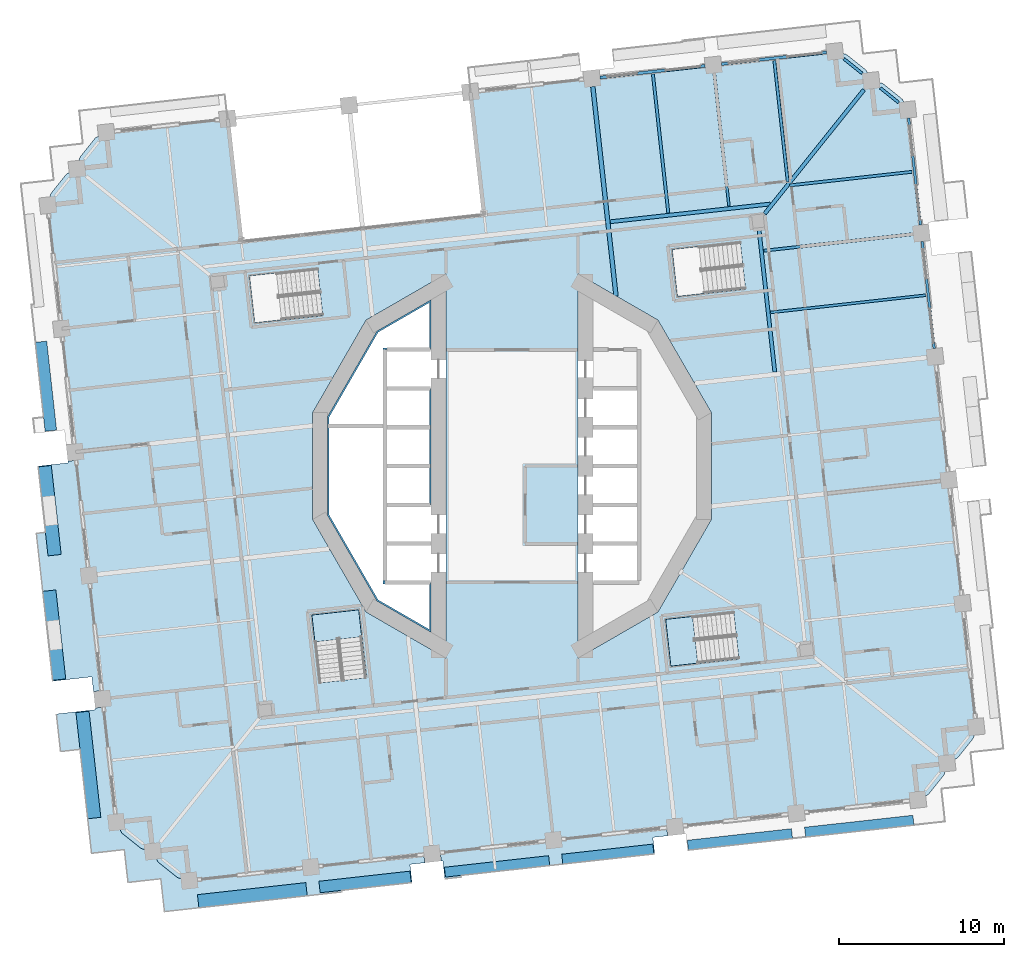
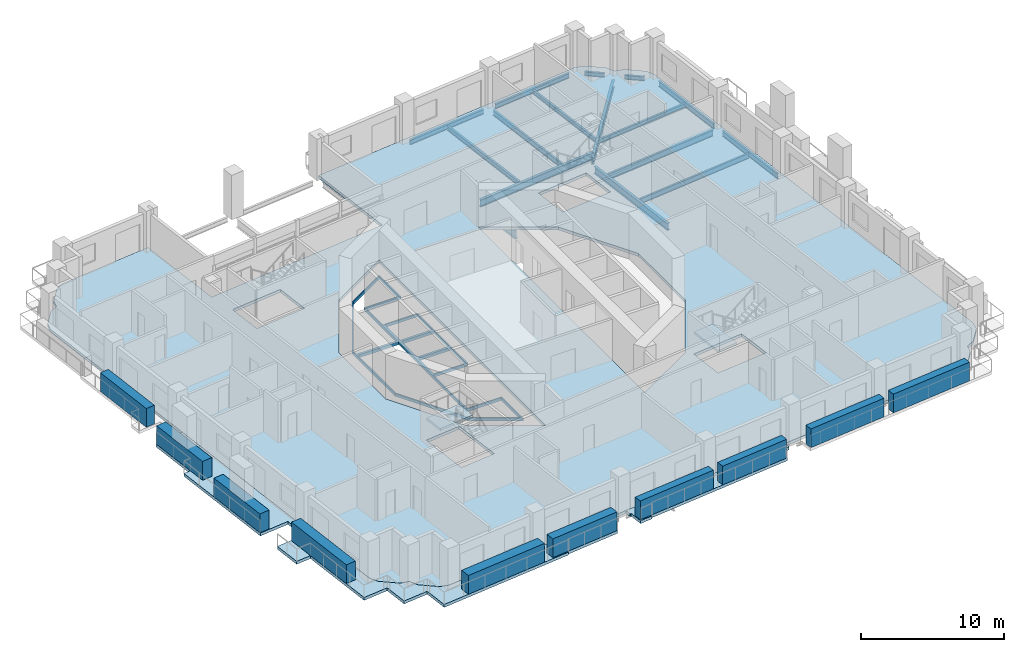
# One storey, part 5 of 21: 16 beams, 10 plates, 7 slabs, 2 elements without a shape of their own.
"""IFC4 building model written with IfcOpenShell, lengths in metres."""

from ifc_helpers import new_model, si_unit, direction, frame, origin, origin_2d, place, context, subcontext, project, spatial, polyline, rectangle, i_section, outline, extrude, material, layer, layer_set, material_profile, profile_set, type_object, element, aggregate, save


model = new_model("IFC4")

# Units and contexts
model_context = context("Model", 3, precision=1e-05, world=origin(), true_north=direction((0.0, 1.0)))
body_context = subcontext(model_context, "Body", "Model", "MODEL_VIEW")
ifc_project = project(units=[si_unit("LENGTHUNIT", "METRE"), si_unit("AREAUNIT", "SQUARE_METRE"), si_unit("VOLUMEUNIT", "CUBIC_METRE"), si_unit("PLANEANGLEUNIT", "RADIAN"), si_unit("MASSUNIT", "GRAM", prefix="KILO")], contexts=[model_context])

# Site, building, storey
site_placement = place(None, origin())
site = spatial("IfcSite", under=ifc_project, at=site_placement, CompositionType="ELEMENT")
building_placement = place(site_placement, origin())
building = spatial("IfcBuilding", under=site, at=building_placement, Name="Cantera Rosa Tower", CompositionType="ELEMENT")
storey_placement = place(building_placement, frame((0.0, 0.0, 61.5)))
storey = spatial("IfcBuildingStorey", under=building, at=storey_placement, Name="L12", CompositionType="ELEMENT", Elevation=61.5)

# Beams
ifc_material_1 = material(Name="Steel ASTM A992 (Fy 345 MPa)", Category="steel")
ifc_material_profile_1 = material_profile(ifc_material_1, i_section(OverallWidth=0.154052734375, OverallDepth=0.4599609375, WebThickness=0.009033203125, FlangeThickness=0.015380859375, FilletRadius=0.01025390625, at=origin_2d()), Name="W460X68")
ifc_profile_set_1 = profile_set([ifc_material_profile_1], Name="Steel ASTM A992 (Fy 345 MPa)")
beam_type_1 = type_object("IfcBeamType", Name="STEEL BEAM W460X68", PredefinedType="BEAM", material=ifc_profile_set_1)
beam_1_placement = place(storey_placement, frame((12.249755859375, 23.796630859375, -0.47998046875), z_axis=(0.110312435488, -0.993896959738, 0.0), x_axis=(0.993896959738, 0.110312435488, 0.0)))
element("IfcBeam", 1, at=beam_1_placement, inside=storey, type_object=beam_type_1, Name="G-Z1-05 L12", PredefinedType="BEAM", context=body_context, shape_type="SweptSolid", body=[
    extrude(i_section(OverallWidth=0.154052734375, OverallDepth=0.4599609375, WebThickness=0.009033203125, FlangeThickness=0.015380859375, FilletRadius=0.01025390625, at=origin_2d()), origin(), (0.0, 0.0, 1.0), 8.10009765625),
])
ifc_material_2 = material(Name="Steel ASTM A992 (Fy 345 MPa)", Category="steel")
ifc_material_profile_2 = material_profile(ifc_material_2, i_section(OverallWidth=0.166015625, OverallDepth=0.528076171875, WebThickness=0.009765625, FlangeThickness=0.013671875, FilletRadius=0.0126953125, at=origin_2d()), Name="W530X74")
ifc_profile_set_2 = profile_set([ifc_material_profile_2], Name="Steel ASTM A992 (Fy 345 MPa)")
beam_type_2 = type_object("IfcBeamType", Name="STEEL BEAM W530X74", PredefinedType="BEAM", material=ifc_profile_set_2)
beam_2_placement = place(storey_placement, frame((24.298828125, 14.046142578125, -0.513916015625), z_axis=(-0.993896161189, -0.110319630049, 0.0), x_axis=(0.110319630049, -0.993896161189, 0.0)))
element("IfcBeam", 2, at=beam_2_placement, inside=storey, type_object=beam_type_2, Name="G-Z1-04 L12", PredefinedType="BEAM", context=body_context, shape_type="SweptSolid", body=[
    extrude(i_section(OverallWidth=0.166015625, OverallDepth=0.528076171875, WebThickness=0.009765625, FlangeThickness=0.013671875, FilletRadius=0.0126953125, at=origin_2d()), origin(), (0.0, 0.0, 1.0), 9.10009765625),
])
ifc_material_3 = material(Name="Steel ASTM A992 (Fy 345 MPa)", Category="steel")
ifc_material_profile_3 = material_profile(ifc_material_3, i_section(OverallWidth=0.22802734375, OverallDepth=0.60205078125, WebThickness=0.010498046875, FlangeThickness=0.014892578125, FilletRadius=0.0126953125, at=origin_2d()), Name="W610X101")
ifc_profile_set_3 = profile_set([ifc_material_profile_3], Name="Steel ASTM A992 (Fy 345 MPa)")
beam_type_3 = type_object("IfcBeamType", Name="STEEL BEAM W610X101", PredefinedType="BEAM", material=ifc_profile_set_3)
beam_3_placement = place(storey_placement, frame((21.31591796875, 22.79052734375, -0.551025390625), z_axis=(-0.624787924463, -0.780794498857, 0.0), x_axis=(0.780794498857, -0.624787924463, 0.0)))
element("IfcBeam", 3, at=beam_3_placement, inside=storey, type_object=beam_type_3, Name="CB-Z1-01 L12", PredefinedType="BEAM", context=body_context, shape_type="SweptSolid", body=[
    extrude(i_section(OverallWidth=0.22802734375, OverallDepth=0.60205078125, WebThickness=0.010498046875, FlangeThickness=0.014892578125, FilletRadius=0.0126953125, at=origin_2d()), origin(), (0.0, 0.0, 1.0), 9.616455078125),
])
beam_4_placement = place(storey_placement, frame((15.918212890625, 5.70068359375, -0.551025390625), z_axis=(-0.110298932846, 0.993898458301, 0.0), x_axis=(-0.993898458301, -0.110298932846, 0.0)))
element("IfcBeam", 4, at=beam_4_placement, inside=storey, type_object=beam_type_3, Name="RB-Z1-09 L12", PredefinedType="BEAM", context=body_context, shape_type="SweptSolid", body=[
    extrude(i_section(OverallWidth=0.22802734375, OverallDepth=0.60205078125, WebThickness=0.010498046875, FlangeThickness=0.014892578125, FilletRadius=0.0126953125, at=origin_2d()), origin(), (0.0, 0.0, 1.0), 8.68994140625),
])
ifc_material_4 = material(Name="Steel ASTM A992 (Fy 345 MPa)", Category="steel")
ifc_material_profile_4 = material_profile(ifc_material_4, i_section(OverallWidth=0.22900390625, OverallDepth=0.612060546875, WebThickness=0.011962890625, FlangeThickness=0.01953125, FilletRadius=0.0126953125, at=origin_2d()), Name="W610X125")
ifc_profile_set_4 = profile_set([ifc_material_profile_4], Name="Steel ASTM A992 (Fy 345 MPa)")
beam_type_4 = type_object("IfcBeamType", Name="STEEL BEAM W610X125", PredefinedType="BEAM", material=ifc_profile_set_4)
beam_5_placement = place(storey_placement, frame((5.9541015625, 14.797119140625, -0.555908203125), z_axis=(0.993898078625, 0.110302354035, 0.0), x_axis=(-0.110302354035, 0.993898078625, 0.0)))
element("IfcBeam", 5, at=beam_5_placement, inside=storey, type_object=beam_type_4, Name="RB-Z1-03 L12", PredefinedType="BEAM", context=body_context, shape_type="SweptSolid", body=[
    extrude(i_section(OverallWidth=0.22900390625, OverallDepth=0.612060546875, WebThickness=0.011962890625, FlangeThickness=0.01953125, FilletRadius=0.0126953125, at=origin_2d()), origin(), (0.0, 0.0, 1.0), 9.75),
])
ifc_material_5 = material(Name="Steel ASTM A992 (Fy 345 MPa)", Category="steel")
ifc_material_profile_5 = material_profile(ifc_material_5, i_section(OverallWidth=0.26708984375, OverallDepth=0.75390625, WebThickness=0.01318359375, FlangeThickness=0.01708984375, FilletRadius=0.0166015625, at=origin_2d()), Name="W760X147")
ifc_profile_set_5 = profile_set([ifc_material_profile_5], Name="Steel ASTM A992 (Fy 345 MPa)")
beam_type_5 = type_object("IfcBeamType", Name="STEEL BEAM W760X147", PredefinedType="BEAM", material=ifc_profile_set_5)
beam_6_placement = place(storey_placement, frame((4.894775390625, 22.980224609375, -0.626953125), z_axis=(0.11031177493, -0.993897033053, 0.0), x_axis=(0.993897033053, 0.11031177493, 0.0)))
element("IfcBeam", 6, at=beam_6_placement, inside=storey, type_object=beam_type_5, Name="G-Z1-06 L12", PredefinedType="BEAM", context=body_context, shape_type="SweptSolid", body=[
    extrude(i_section(OverallWidth=0.26708984375, OverallDepth=0.75390625, WebThickness=0.01318359375, FlangeThickness=0.01708984375, FilletRadius=0.0166015625, at=origin_2d()), origin(), (0.0, 0.0, 1.0), 12.754638671875),
])
ifc_material_6 = material(Name="Steel ASTM A992 (Fy 345 MPa)", Category="steel")
ifc_material_profile_6 = material_profile(ifc_material_6, i_section(OverallWidth=0.1708984375, OverallDepth=0.35595703125, WebThickness=0.00732421875, FlangeThickness=0.01171875, FilletRadius=0.010009765625, at=origin_2d()), Name="W360X51")
ifc_profile_set_6 = profile_set([ifc_material_profile_6], Name="Steel ASTM A992 (Fy 345 MPa)")
beam_type_6 = type_object("IfcBeamType", Name="STEEL JOIST W360X51", PredefinedType="JOIST", material=ifc_profile_set_6)
beam_7_placement = place(storey_placement, frame((24.23193359375, 17.82177734375, -0.427978515625), z_axis=(-0.993899688369, -0.110287848199, 0.0), x_axis=(0.110287848199, -0.993899688369, 0.0)))
element("IfcBeam", 7, at=beam_7_placement, inside=storey, type_object=beam_type_6, Name="B-Z1-05 L12", PredefinedType="JOIST", context=body_context, shape_type="SweptSolid", body=[
    extrude(i_section(OverallWidth=0.1708984375, OverallDepth=0.35595703125, WebThickness=0.00732421875, FlangeThickness=0.01171875, FilletRadius=0.010009765625, at=origin_2d()), origin(), (0.0, 0.0, 1.0), 7.4599609375),
])
beam_8_placement = place(storey_placement, frame((15.888427734375, 24.552490234375, -0.427978515625), z_axis=(0.110326513132, -0.993895397162, 0.0), x_axis=(0.993895397162, 0.110326513132, 0.0)))
element("IfcBeam", 8, at=beam_8_placement, inside=storey, type_object=beam_type_6, Name="B-Z1-06 L12", PredefinedType="JOIST", context=body_context, shape_type="SweptSolid", body=[
    extrude(i_section(OverallWidth=0.1708984375, OverallDepth=0.35595703125, WebThickness=0.00732421875, FlangeThickness=0.01171875, FilletRadius=0.010009765625, at=origin_2d()), origin(), (0.0, 0.0, 1.0), 7.39990234375),
])
ifc_material_7 = material(Name="Steel ASTM A992 (Fy 345 MPa)", Category="steel")
ifc_material_profile_7 = material_profile(ifc_material_7, i_section(OverallWidth=0.177978515625, OverallDepth=0.406005859375, WebThickness=0.0078125, FlangeThickness=0.0126953125, FilletRadius=0.01025390625, at=origin_2d()), Name="W410X60")
ifc_profile_set_7 = profile_set([ifc_material_profile_7], Name="Steel ASTM A992 (Fy 345 MPa)")
beam_type_7 = type_object("IfcBeamType", Name="STEEL JOIST W410X60", PredefinedType="JOIST", material=ifc_profile_set_7)
beam_9_placement = place(storey_placement, frame((8.53369140625, 23.736328125, -0.452880859375), z_axis=(0.110311022989, -0.99389711651, 0.0), x_axis=(0.99389711651, 0.110311022989, 0.0)))
element("IfcBeam", 9, at=beam_9_placement, inside=storey, type_object=beam_type_7, Name="B-Z1-07 L12", PredefinedType="JOIST", context=body_context, shape_type="SweptSolid", body=[
    extrude(i_section(OverallWidth=0.177978515625, OverallDepth=0.406005859375, WebThickness=0.0078125, FlangeThickness=0.0126953125, FilletRadius=0.01025390625, at=origin_2d()), origin(), (0.0, 0.0, 1.0), 8.449951171875),
])
ifc_material_8 = material(Name="Steel ASTM A992 (Fy 345 MPa)", Category="steel")
ifc_material_profile_8 = material_profile(ifc_material_8, i_section(OverallWidth=0.154052734375, OverallDepth=0.4599609375, WebThickness=0.009033203125, FlangeThickness=0.015380859375, FilletRadius=0.01025390625, at=origin_2d()), Name="W460X68")
ifc_profile_set_8 = profile_set([ifc_material_profile_8], Name="Steel ASTM A992 (Fy 345 MPa)")
beam_type_8 = type_object("IfcBeamType", Name="STEEL JOIST W460X68", PredefinedType="JOIST", material=ifc_profile_set_8)
beam_10_placement = place(storey_placement, frame((25.0615234375, 10.34765625, -0.47998046875), z_axis=(-0.993896645353, -0.110315268011, 0.0), x_axis=(0.110315268011, -0.993896645353, 0.0)))
element("IfcBeam", 10, at=beam_10_placement, inside=storey, type_object=beam_type_8, Name="B-Z1-04 L12", PredefinedType="JOIST", context=body_context, shape_type="SweptSolid", body=[
    extrude(i_section(OverallWidth=0.154052734375, OverallDepth=0.4599609375, WebThickness=0.009033203125, FlangeThickness=0.015380859375, FilletRadius=0.01025390625, at=origin_2d()), origin(), (0.0, 0.0, 1.0), 9.449951171875),
])
ifc_material_9 = material(Name="Steel ASTM A992 (Fy 345 MPa)", Category="steel")
ifc_material_profile_9 = material_profile(ifc_material_9, i_section(OverallWidth=0.1708984375, OverallDepth=0.35595703125, WebThickness=0.00732421875, FlangeThickness=0.01171875, FilletRadius=0.010009765625, at=origin_2d()), Name="W360X51")
ifc_profile_set_9 = profile_set([ifc_material_profile_9], Name="Steel ASTM A992 (Fy 345 MPa)")
beam_type_9 = type_object("IfcBeamType", Name="STEEL SPANDREL BEAM W360X51", PredefinedType="SPANDREL", material=ifc_profile_set_9)
for number, where, z_axis, x_axis, name in (
    (11, (23.4140625, 22.017333984375, -0.427978515625), (-0.780818280208, 0.624758203863, 0.0), (-0.624758203863, -0.780818280208, 0.0), "EB-Z1-06 L12"),
    (12, (21.205810546875, 23.784423828125, -0.427978515625), (-0.780818280208, 0.624758203863, 0.0), (-0.624758203863, -0.780818280208, 0.0), "EB-Z1-07 L12"),
):
    element("IfcBeam", number, at=place(storey_placement, frame(where, z_axis=z_axis, x_axis=x_axis)), inside=storey, type_object=beam_type_9, Name=name, PredefinedType="SPANDREL", context=body_context, shape_type="SweptSolid", body=[
        extrude(i_section(OverallWidth=0.1708984375, OverallDepth=0.35595703125, WebThickness=0.00732421875, FlangeThickness=0.01171875, FilletRadius=0.010009765625, at=origin_2d()), origin(), (0.0, 0.0, 1.0), 1.414306640625),
    ])
ifc_material_10 = material(Name="Steel ASTM A992 (Fy 345 MPa)", Category="steel")
ifc_material_profile_10 = material_profile(ifc_material_10, i_section(OverallWidth=0.177978515625, OverallDepth=0.406005859375, WebThickness=0.0078125, FlangeThickness=0.0126953125, FilletRadius=0.01025390625, at=origin_2d()), Name="W410X60")
ifc_profile_set_10 = profile_set([ifc_material_profile_10], Name="Steel ASTM A992 (Fy 345 MPa)")
beam_type_10 = type_object("IfcBeamType", Name="STEEL SPANDREL BEAM W410X60", PredefinedType="SPANDREL", material=ifc_profile_set_10)
beam_11_placement = place(storey_placement, frame((19.052490234375, 25.0546875, -0.452880859375), z_axis=(-0.993896288542, -0.110318482689, 0.0), x_axis=(0.110318482689, -0.993896288542, 0.0)))
element("IfcBeam", 13, at=beam_11_placement, inside=storey, type_object=beam_type_10, Name="EB-Z1-08 L12", PredefinedType="SPANDREL", context=body_context, shape_type="SweptSolid", body=[
    extrude(i_section(OverallWidth=0.177978515625, OverallDepth=0.406005859375, WebThickness=0.0078125, FlangeThickness=0.0126953125, FilletRadius=0.01025390625, at=origin_2d()), origin(), (0.0, 0.0, 1.0), 6.400146484375),
])
beam_12_placement = place(storey_placement, frame((11.697509765625, 24.23828125, -0.452880859375), z_axis=(-0.993895824271, -0.110322665379, 0.0), x_axis=(0.110322665379, -0.993895824271, 0.0)))
element("IfcBeam", 14, at=beam_12_placement, inside=storey, type_object=beam_type_10, Name="EB-Z1-09 L12", PredefinedType="SPANDREL", context=body_context, shape_type="SweptSolid", body=[
    extrude(i_section(OverallWidth=0.177978515625, OverallDepth=0.406005859375, WebThickness=0.0078125, FlangeThickness=0.0126953125, FilletRadius=0.01025390625, at=origin_2d()), origin(), (0.0, 0.0, 1.0), 6.39990234375),
])
ifc_material_11 = material(Name="Steel ASTM A992 (Fy 345 MPa)", Category="steel")
ifc_material_profile_11 = material_profile(ifc_material_11, i_section(OverallWidth=0.154052734375, OverallDepth=0.4599609375, WebThickness=0.009033203125, FlangeThickness=0.015380859375, FilletRadius=0.01025390625, at=origin_2d()), Name="W460X68")
ifc_profile_set_11 = profile_set([ifc_material_profile_11], Name="Steel ASTM A992 (Fy 345 MPa)")
beam_type_11 = type_object("IfcBeamType", Name="STEEL SPANDREL BEAM W460X68", PredefinedType="SPANDREL", material=ifc_profile_set_11)
for number, where, z_axis, x_axis, name in (
    (15, (25.570068359375, 7.124267578125, -0.47998046875), (-0.110312341265, 0.993896970196, 0.0), (-0.993896970196, -0.110312341265, 0.0), "EB-Z1-04 L12"),
    (16, (24.74072265625, 14.598388671875, -0.47998046875), (-0.110312341265, 0.993896970196, 0.0), (-0.993896970196, -0.110312341265, 0.0), "EB-Z1-05 L12"),
):
    element("IfcBeam", number, at=place(storey_placement, frame(where, z_axis=z_axis, x_axis=x_axis)), inside=storey, type_object=beam_type_11, Name=name, PredefinedType="SPANDREL", context=body_context, shape_type="SweptSolid", body=[
        extrude(i_section(OverallWidth=0.154052734375, OverallDepth=0.4599609375, WebThickness=0.009033203125, FlangeThickness=0.015380859375, FilletRadius=0.01025390625, at=origin_2d()), origin(), (0.0, 0.0, 1.0), 6.52001953125),
    ])

# Slabs
ifc_material_12 = material(Name="Concrete C35/45", Category="concrete")
ifc_layer_1 = layer(ifc_material_12, 0.25)
ifc_layer_set_1 = layer_set([ifc_layer_1], Name="COMPOSITE FLOOR SLAB 250 C35/45")
slab_type_1 = type_object("IfcSlabType", Name="COMPOSITE FLOOR SLAB 250 C35/45", PredefinedType="FLOOR", material=ifc_layer_set_1)
slab_1_placement = place(storey_placement, frame((0.0, 0.0, -0.25)))
element("IfcSlab", 17, at=slab_1_placement, inside=storey, type_object=slab_type_1, Name="SLAB L12 floor 1", PredefinedType="FLOOR", context=body_context, shape_type="SweptSolid", body=[
    extrude(outline(polyline([(-7.699951171875, -2.35009765625), (-7.699951171875, -4.699951171875), (-7.699951171875, -7.050048828125), (-4.89990234375, -7.050048828125), (-4.89990234375, -10.07373046875), (-8.179931640625, -8.179931640625), (-11.174072265625, -2.994140625), (-11.174072265625, 2.994140625), (-8.179931640625, 8.179931640625), (-4.89990234375, 10.07373046875), (-4.89990234375, 7.050048828125), (-7.699951171875, 7.050048828125), (-7.699951171875, 4.699951171875), (-4.89990234375, 4.699951171875), (-4.89990234375, -2.35009765625), (-7.699951171875, -2.35009765625)]), holes=[polyline([(-5.0, -9.900390625), (-5.0, -7.14990234375), (-7.800048828125, -7.14990234375), (-7.800048828125, -2.449951171875), (-7.800048828125, -2.25), (-7.800048828125, 2.25), (-7.800048828125, 2.317626953125), (-11.07421875, 2.317626953125), (-11.07421875, -2.96728515625), (-8.106689453125, -8.106689453125), (-5.0, -9.900390625)]), polyline([(-7.60009765625, -0.10009765625), (-7.60009765625, -2.25), (-5.0, -2.25), (-5.0, -0.10009765625), (-7.60009765625, -0.10009765625)]), polyline([(-7.60009765625, 0.10009765625), (-5.0, 0.10009765625), (-5.0, 2.25), (-7.60009765625, 2.25), (-7.60009765625, 0.10009765625)]), polyline([(-7.60009765625, 2.449951171875), (-5.0, 2.449951171875), (-5.0, 4.60009765625), (-7.60009765625, 4.60009765625), (-7.60009765625, 2.449951171875)]), polyline([(-7.800048828125, 2.517578125), (-7.800048828125, 7.14990234375), (-5.0, 7.14990234375), (-5.0, 9.900390625), (-8.106689453125, 8.106689453125), (-11.07421875, 2.96728515625), (-11.07421875, 2.517578125), (-7.800048828125, 2.517578125)])]), origin(), (0.0, 0.0, 1.0), 0.25),
])
slab_2_placement = place(storey_placement, frame((0.0, 0.0, -0.25)))
element("IfcSlab", 18, at=slab_2_placement, inside=storey, type_object=slab_type_1, Name="SLAB L12 floor 2", PredefinedType="FLOOR", context=body_context, shape_type="SweptSolid", body=[
    extrude(outline(polyline([(-20.288818359375, -24.902099609375), (-21.39306640625, -24.018798828125), (-21.415283203125, -23.999267578125), (-21.435302734375, -23.9775390625), (-21.453125, -23.9541015625), (-21.468505859375, -23.92919921875), (-21.7578125, -23.342529296875), (-22.393310546875, -23.18896484375), (-22.42138671875, -23.179443359375), (-22.447998046875, -23.1669921875), (-22.473388671875, -23.15234375), (-22.497314453125, -23.135009765625), (-23.6015625, -22.25146484375), (-23.62353515625, -22.23193359375), (-23.643798828125, -22.21044921875), (-23.66162109375, -22.18701171875), (-23.677001953125, -22.161865234375), (-23.96630859375, -21.575439453125), (-28.114013671875, 15.795166015625), (-27.960205078125, 16.4306640625), (-27.95068359375, 16.45849609375), (-27.9384765625, 16.4853515625), (-27.923583984375, 16.5107421875), (-27.906494140625, 16.53466796875), (-27.022705078125, 17.638916015625), (-27.00341796875, 17.660888671875), (-26.981689453125, 17.680908203125), (-26.958251953125, 17.69873046875), (-26.933349609375, 17.714111328125), (-26.3466796875, 18.00341796875), (-26.193115234375, 18.63916015625), (-26.18359375, 18.6669921875), (-26.17138671875, 18.693603515625), (-26.156494140625, 18.71923828125), (-26.139404296875, 18.742919921875), (-25.255615234375, 19.84716796875), (-25.236083984375, 19.869384765625), (-25.214599609375, 19.889404296875), (-25.191162109375, 19.9072265625), (-25.166015625, 19.922607421875), (-24.57958984375, 20.2119140625), (-17.224853515625, 21.0283203125), (-16.3974609375, 13.573974609375), (-1.687744140625, 15.20654296875), (-2.51513671875, 22.660888671875), (18.642578125, 25.00927734375), (19.54931640625, 25.10986328125), (20.18505859375, 24.9560546875), (20.212890625, 24.946533203125), (20.239501953125, 24.934326171875), (20.26513671875, 24.91943359375), (20.288818359375, 24.902099609375), (21.39306640625, 24.018798828125), (21.415283203125, 23.999267578125), (21.435302734375, 23.9775390625), (21.453125, 23.9541015625), (21.468505859375, 23.92919921875), (21.7578125, 23.342529296875), (22.393310546875, 23.18896484375), (22.42138671875, 23.179443359375), (22.447998046875, 23.1669921875), (22.473388671875, 23.15234375), (22.497314453125, 23.135009765625), (23.6015625, 22.25146484375), (23.62353515625, 22.23193359375), (23.643798828125, 22.21044921875), (23.66162109375, 22.18701171875), (23.677001953125, 22.161865234375), (23.96630859375, 21.575439453125), (28.114013671875, -15.795166015625), (27.960205078125, -16.4306640625), (27.95068359375, -16.45849609375), (27.9384765625, -16.4853515625), (27.923583984375, -16.5107421875), (27.906494140625, -16.53466796875), (27.022705078125, -17.638916015625), (27.00341796875, -17.660888671875), (26.981689453125, -17.680908203125), (26.958251953125, -17.69873046875), (26.933349609375, -17.714111328125), (26.3466796875, -18.00341796875), (26.193115234375, -18.63916015625), (26.18359375, -18.6669921875), (26.17138671875, -18.693603515625), (26.156494140625, -18.71923828125), (26.139404296875, -18.742919921875), (25.255615234375, -19.84716796875), (25.236083984375, -19.869384765625), (25.214599609375, -19.889404296875), (25.191162109375, -19.9072265625), (25.166015625, -19.922607421875), (24.57958984375, -20.2119140625), (-18.642578125, -25.00927734375), (-19.54931640625, -25.10986328125), (-20.18505859375, -24.9560546875), (-20.212890625, -24.946533203125), (-20.239501953125, -24.934326171875), (-20.26513671875, -24.91943359375), (-20.288818359375, -24.902099609375)]), holes=[polyline([(-8.83056640625, -12.822265625), (-9.287109375, -8.709716796875), (-12.11962890625, -9.02392578125), (-11.6630859375, -13.13671875), (-8.83056640625, -12.822265625)]), polyline([(-4.0, 11.632568359375), (-8.8388671875, 8.8388671875), (-12.07421875, 3.235107421875), (-12.07421875, -3.235107421875), (-8.8388671875, -8.8388671875), (-4.0, -11.632568359375), (-4.0, 11.632568359375)]), polyline([(-11.46337890625, 9.13671875), (-11.777587890625, 11.969482421875), (-15.890380859375, 11.512939453125), (-15.575927734375, 8.680419921875), (-11.46337890625, 9.13671875)]), polyline([(13.42236328125, -8.83056640625), (9.3095703125, -9.287109375), (9.6240234375, -12.11962890625), (13.73681640625, -11.6630859375), (13.42236328125, -8.83056640625)]), polyline([(8.8388671875, -8.8388671875), (12.07421875, -3.235107421875), (12.07421875, 3.235107421875), (8.8388671875, 8.8388671875), (4.0, 11.632568359375), (4.0, -11.632568359375), (8.8388671875, -8.8388671875)]), polyline([(14.13671875, 10.73681640625), (13.822265625, 13.5693359375), (9.709716796875, 13.11279296875), (10.02392578125, 10.2802734375), (14.13671875, 10.73681640625)])]), origin(), (0.0, 0.0, 1.0), 0.25),
])
ifc_material_13 = material(Name="Concrete C35/45", Category="concrete")
ifc_layer_2 = layer(ifc_material_13, 0.25)
ifc_layer_set_2 = layer_set([ifc_layer_2], Name="LOGGIA SLAB 250 C35/45")
slab_type_2 = type_object("IfcSlabType", Name="LOGGIA SLAB 250 C35/45", PredefinedType="FLOOR", material=ifc_layer_set_2)
slab_3_placement = place(storey_placement, frame((0.0, 0.0, -0.25)))
element("IfcSlab", 19, at=slab_3_placement, inside=storey, type_object=slab_type_2, Name="LOGGIA SLAB L12 1", PredefinedType="FLOOR", context=body_context, shape_type="SweptSolid", body=[
    extrude(outline(polyline([(-28.705322265625, -0.006591796875), (-26.885498046875, 0.1953125), (-26.896728515625, 0.294921875), (-26.399658203125, 0.349853515625), (-24.850830078125, -13.6044921875), (-25.347900390625, -13.65966796875), (-25.447265625, -12.764892578125), (-27.8203125, -13.0283203125), (-28.813720703125, -4.07568359375), (-28.260498046875, -4.014404296875), (-28.705322265625, -0.006591796875)])), origin(), (0.0, 0.0, 1.0), 0.25),
])
slab_4_placement = place(storey_placement, frame((0.0, 0.0, -0.25)))
element("IfcSlab", 20, at=slab_4_placement, inside=storey, type_object=slab_type_2, Name="LOGGIA SLAB L12 3", PredefinedType="FLOOR", context=body_context, shape_type="SweptSolid", body=[
    extrude(outline(polyline([(-19.36181640625, -26.79931640625), (-21.051513671875, -26.98681640625), (-21.239013671875, -25.29736328125), (-21.272216796875, -24.999267578125), (-21.5703125, -25.0322265625), (-23.260009765625, -25.2197265625), (-23.447509765625, -23.5302734375), (-23.48046875, -23.23193359375), (-23.77880859375, -23.26513671875), (-25.46826171875, -23.45263671875), (-25.65576171875, -21.762939453125), (-26.1669921875, -17.15869140625), (-27.34716796875, -17.289794921875), (-27.599609375, -15.01611328125), (-25.2265625, -14.752685546875), (-25.237548828125, -14.653564453125), (-24.740478515625, -14.598388671875), (-23.96630859375, -21.575439453125), (-23.677001953125, -22.161865234375), (-23.66162109375, -22.18701171875), (-23.643798828125, -22.21044921875), (-23.62353515625, -22.23193359375), (-23.6015625, -22.25146484375), (-22.497314453125, -23.135009765625), (-22.473388671875, -23.15234375), (-22.447998046875, -23.1669921875), (-22.42138671875, -23.179443359375), (-22.393310546875, -23.18896484375), (-21.7578125, -23.342529296875), (-21.468505859375, -23.92919921875), (-21.453125, -23.9541015625), (-21.435302734375, -23.9775390625), (-21.415283203125, -23.999267578125), (-21.39306640625, -24.018798828125), (-20.288818359375, -24.902099609375), (-20.26513671875, -24.91943359375), (-20.239501953125, -24.934326171875), (-20.212890625, -24.946533203125), (-20.18505859375, -24.9560546875), (-19.54931640625, -25.10986328125), (-18.642578125, -25.00927734375), (-5.336669921875, -23.5322265625), (-5.281494140625, -24.029296875), (-6.176025390625, -24.12841796875), (-6.05419921875, -25.2255859375), (-10.327880859375, -25.699951171875), (-10.3173828125, -25.795654296875), (-19.36181640625, -26.79931640625)])), origin(), (0.0, 0.0, 1.0), 0.25),
])
slab_5_placement = place(storey_placement, frame((0.0, 0.0, -0.25)))
element("IfcSlab", 21, at=slab_5_placement, inside=storey, type_object=slab_type_2, Name="LOGGIA SLAB L12 5", PredefinedType="FLOOR", context=body_context, shape_type="SweptSolid", body=[
    extrude(outline(polyline([(-4.188232421875, -23.907958984375), (-4.28759765625, -23.9189453125), (-4.3427734375, -23.422119140625), (9.373046875, -21.899658203125), (9.42822265625, -22.396484375), (8.53369140625, -22.495849609375), (8.64404296875, -23.48974609375), (8.544677734375, -23.5009765625), (4.17138671875, -23.986083984375), (1.189697265625, -24.317138671875), (-3.080078125, -24.791015625), (-3.068603515625, -24.894287109375), (-4.06640625, -25.005126953125), (-4.188232421875, -23.907958984375)])), origin(), (0.0, 0.0, 1.0), 0.25),
])

# Plates
ifc_material_14 = material(Name="Cantera stone planter with soil", Category="masonry")
plate_type_1 = type_object("IfcPlateType", Name="PLANTER 600", PredefinedType="USERDEFINED", material=ifc_material_14)
plate_1_placement = place(storey_placement, frame((-0.90576171875, -24.247802734375, 0.0), z_axis=(0.0, 0.0, 1.0), x_axis=(0.993896946415, 0.110312555526, 0.0)))
element("IfcPlate", 22, at=plate_1_placement, inside=storey, type_object=plate_type_1, Name="PLANTER L12-19", ObjectType="PLANTER", PredefinedType="USERDEFINED", context=body_context, shape_type="SweptSolid", body=[
    extrude(rectangle(XDim=6.35009765625, YDim=0.60009765625, at=origin_2d()), origin(), (0.0, 0.0, 1.0), 1.60009765625),
])
plate_2_placement = place(storey_placement, frame((5.80322265625, -23.503173828125, 0.0), z_axis=(0.0, 0.0, 1.0), x_axis=(0.993896946415, 0.110312555526, 0.0)))
element("IfcPlate", 23, at=plate_2_placement, inside=storey, type_object=plate_type_1, Name="PLANTER L12-20", ObjectType="PLANTER", PredefinedType="USERDEFINED", context=body_context, shape_type="SweptSolid", body=[
    extrude(rectangle(XDim=5.550048828125, YDim=0.60009765625, at=origin_2d()), origin(), (0.0, 0.0, 1.0), 1.60009765625),
])
plate_3_placement = place(storey_placement, frame((13.803955078125, -22.615234375, 0.0), z_axis=(0.0, 0.0, 1.0), x_axis=(0.993896946415, 0.110312555526, 0.0)))
element("IfcPlate", 24, at=plate_3_placement, inside=storey, type_object=plate_type_1, Name="PLANTER L12-21", ObjectType="PLANTER", PredefinedType="USERDEFINED", context=body_context, shape_type="SweptSolid", body=[
    extrude(rectangle(XDim=6.35009765625, YDim=0.60009765625, at=origin_2d()), origin(), (0.0, 0.0, 1.0), 1.60009765625),
])
plate_4_placement = place(storey_placement, frame((21.03466796875, -21.812744140625, 0.0), z_axis=(0.0, 0.0, 1.0), x_axis=(0.993896946415, 0.110312555526, 0.0)))
element("IfcPlate", 25, at=plate_4_placement, inside=storey, type_object=plate_type_1, Name="PLANTER L12-22", ObjectType="PLANTER", PredefinedType="USERDEFINED", context=body_context, shape_type="SweptSolid", body=[
    extrude(rectangle(XDim=6.60009765625, YDim=0.60009765625, at=origin_2d()), origin(), (0.0, 0.0, 1.0), 1.60009765625),
])
ifc_material_15 = material(Name="Cantera stone planter with soil", Category="masonry")
plate_type_2 = type_object("IfcPlateType", Name="PLANTER 700", PredefinedType="USERDEFINED", material=ifc_material_15)
plate_5_placement = place(storey_placement, frame((-28.2314453125, 4.835205078125, 0.0), z_axis=(0.0, 0.0, 1.0), x_axis=(0.110312555526, -0.993896946415, 0.0)))
element("IfcPlate", 26, at=plate_5_placement, inside=storey, type_object=plate_type_2, Name="PLANTER L12-13", ObjectType="PLANTER", PredefinedType="USERDEFINED", context=body_context, shape_type="SweptSolid", body=[
    extrude(rectangle(XDim=5.419921875, YDim=0.699951171875, at=origin_2d()), origin(), (0.0, 0.0, 1.0), 1.60009765625),
])
plate_6_placement = place(storey_placement, frame((-8.900634765625, -25.189453125, 0.0), z_axis=(0.0, 0.0, 1.0), x_axis=(0.993896946415, 0.110312555526, 0.0)))
element("IfcPlate", 27, at=plate_6_placement, inside=storey, type_object=plate_type_2, Name="PLANTER L12-18", ObjectType="PLANTER", PredefinedType="USERDEFINED", context=body_context, shape_type="SweptSolid", body=[
    extrude(rectangle(XDim=5.550048828125, YDim=0.699951171875, at=origin_2d()), origin(), (0.0, 0.0, 1.0), 1.60009765625),
])
ifc_material_16 = material(Name="Cantera stone planter with soil", Category="masonry")
plate_type_3 = type_object("IfcPlateType", Name="PLANTER 800", PredefinedType="USERDEFINED", material=ifc_material_16)
for number, where, z_axis, x_axis, name in (
    (28, (-28.00341796875, -2.70556640625, 0.0), (0.0, 0.0, 1.0), (0.110312555526, -0.993896946415, 0.0), "PLANTER L12-14"),
    (29, (-27.72705078125, -10.2412109375, 0.0), (0.0, 0.0, 1.0), (0.110312555526, -0.993896946415, 0.0), "PLANTER L12-15"),
):
    element("IfcPlate", number, at=place(storey_placement, frame(where, z_axis=z_axis, x_axis=x_axis)), inside=storey, type_object=plate_type_3, Name=name, ObjectType="PLANTER", PredefinedType="USERDEFINED", context=body_context, shape_type="SweptSolid", body=[
        extrude(rectangle(XDim=5.419921875, YDim=0.800048828125, at=origin_2d()), origin(), (0.0, 0.0, 1.0), 1.60009765625),
    ])
plate_7_placement = place(storey_placement, frame((-25.6591796875, -18.10595703125, 0.0), z_axis=(0.0, 0.0, 1.0), x_axis=(0.110312555526, -0.993896946415, 0.0)))
element("IfcPlate", 30, at=plate_7_placement, inside=storey, type_object=plate_type_3, Name="PLANTER L12-16", ObjectType="PLANTER", PredefinedType="USERDEFINED", context=body_context, shape_type="SweptSolid", body=[
    extrude(rectangle(XDim=6.469970703125, YDim=0.800048828125, at=origin_2d()), origin(), (0.0, 0.0, 1.0), 1.60009765625),
])
plate_8_placement = place(storey_placement, frame((-15.728515625, -25.99365234375, 0.0), z_axis=(0.0, 0.0, 1.0), x_axis=(0.993896946415, 0.110312555526, 0.0)))
element("IfcPlate", 31, at=plate_8_placement, inside=storey, type_object=plate_type_3, Name="PLANTER L12-17", ObjectType="PLANTER", PredefinedType="USERDEFINED", context=body_context, shape_type="SweptSolid", body=[
    extrude(rectangle(XDim=6.60009765625, YDim=0.800048828125, at=origin_2d()), origin(), (0.0, 0.0, 1.0), 1.60009765625),
])

# Stair, slab
ifc_material_17 = material(Name="Concrete C35/45", Category="concrete")
stair_type = type_object("IfcStairType", Name="EXIT STAIR 1350 DOGLEG", PredefinedType="HALF_TURN_STAIR", material=ifc_material_17)
stair_1_placement = place(storey_placement, origin())
stair_1 = element("IfcStair", 32, at=stair_1_placement, inside=storey, type_object=stair_type, Name="L12 ST-13", PredefinedType="HALF_TURN_STAIR")
ifc_material_18 = material(Name="Concrete C35/45", Category="concrete")
ifc_layer_3 = layer(ifc_material_18, 0.199951171875)
ifc_layer_set_3 = layer_set([ifc_layer_3], Name="STAIR LANDING 200")
slab_type_3 = type_object("IfcSlabType", Name="STAIR LANDING 200", PredefinedType="LANDING", material=ifc_layer_set_3)
slab_6_placement = place(storey_placement, frame((0.0, 0.0, 1.699951171875)))
slab_6 = element("IfcSlab", 33, at=slab_6_placement, type_object=slab_type_3, Name="ST-13 landing 1", PredefinedType="LANDING", context=body_context, shape_type="SweptSolid", body=[
    extrude(outline(polyline([(-9.10595703125, -10.341552734375), (-9.287109375, -8.70947265625), (-12.11962890625, -9.02392578125), (-11.9384765625, -10.656005859375), (-9.10595703125, -10.341552734375)])), origin(), (0.0, 0.0, 1.0), 0.199951171875),
])
aggregate(stair_1, [slab_6])

stair_2_placement = place(storey_placement, origin())
stair_2 = element("IfcStair", 34, at=stair_2_placement, inside=storey, type_object=stair_type, Name="L12 ST-14", PredefinedType="HALF_TURN_STAIR")
slab_7_placement = place(storey_placement, frame((0.0, 0.0, 1.699951171875)))
slab_7 = element("IfcSlab", 35, at=slab_7_placement, type_object=slab_type_3, Name="ST-14 landing 1", PredefinedType="LANDING", context=body_context, shape_type="SweptSolid", body=[
    extrude(outline(polyline([(10.941650390625, -9.10595703125), (9.3095703125, -9.287109375), (9.6240234375, -12.11962890625), (11.255859375, -11.9384765625), (10.941650390625, -9.10595703125)])), origin(), (0.0, 0.0, 1.0), 0.199951171875),
])
aggregate(stair_2, [slab_7])

save(model, "model.ifc")
